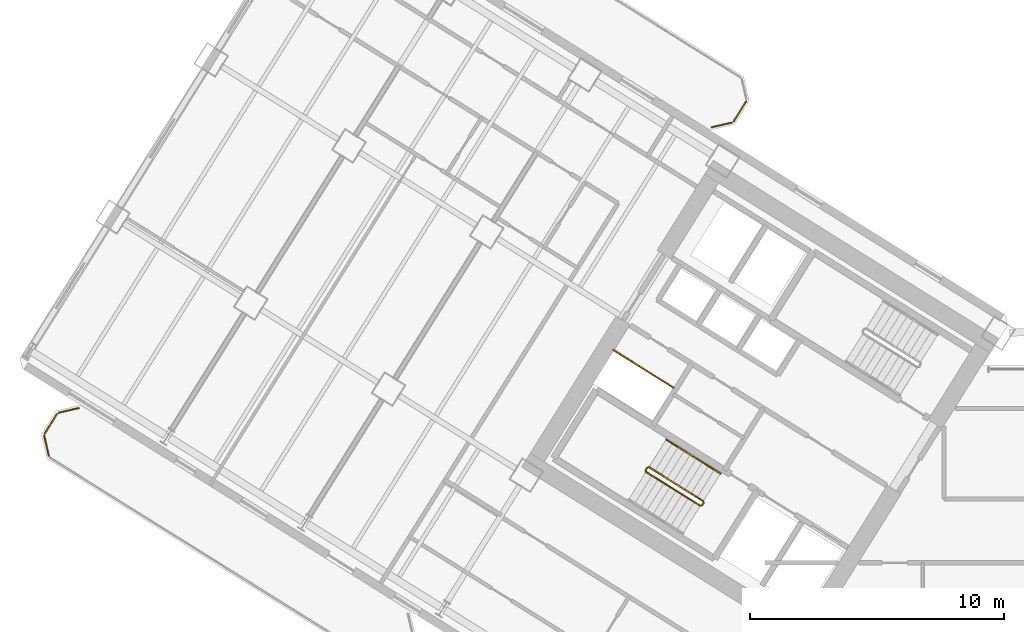
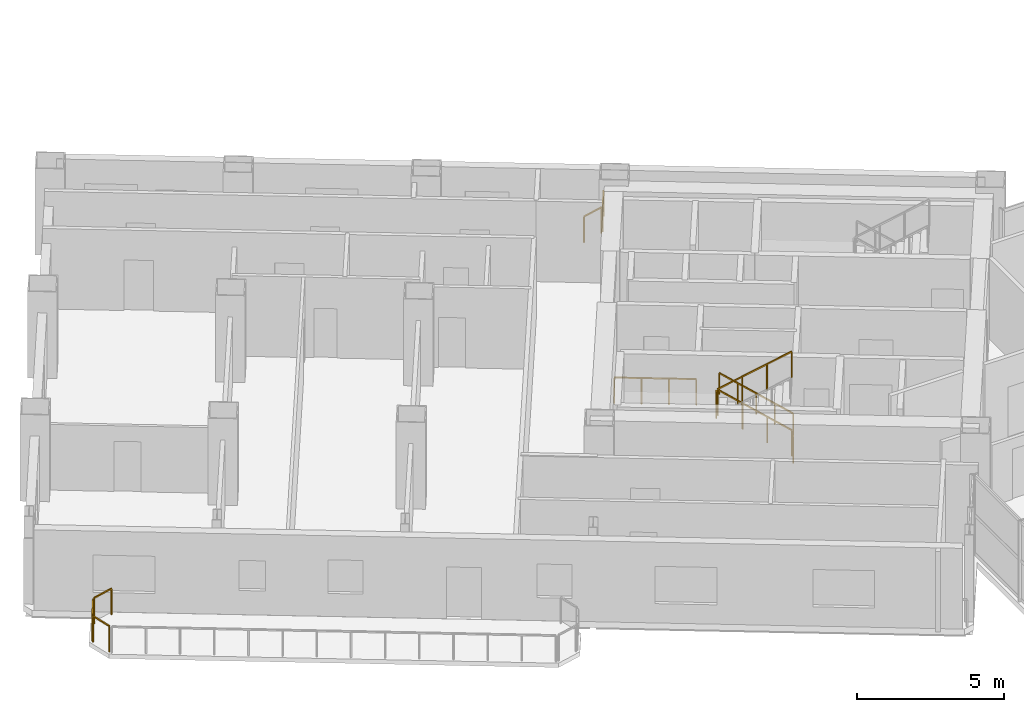
# One storey, part 22 of 24: 12 railings.
"""IFC4 building model written with IfcOpenShell, lengths in metres."""

import ifcopenshell
import ifcopenshell.guid

model = None  # the IFC model being written
_history = None  # IfcOwnerHistory: only IFC2X3 demands one
_inside = {}  # id of a spatial element -> (the spatial element, [elements in it])
_under = {}  # id of a project, library or spatial element -> (it, [spatial elements below it])
_declared = {}  # id of a project -> (the project, [libraries it declares])
_typed = {}  # id of a type object -> (the type object, [elements of that type])
_made_of = {}  # id of a material, layer set ... -> (it, [elements and type objects made of it])


def new_model(schema):
    """Start an empty IFC model of exactly this schema.

    Asked for "IFC4X3", IfcOpenShell would pick the latest addendum, in which some entities
    have other attributes; the version numbers below select the first issue.
    IFC2X3 requires an IfcOwnerHistory on every rooted entity: one is made here for all.
    """
    global model, _history
    if schema == "IFC4X3":
        model = ifcopenshell.file(schema_version=(4, 3, 0, 0))
    else:
        model = ifcopenshell.file(schema=schema)
    _inside.clear()
    _under.clear()
    _declared.clear()
    _typed.clear()
    _made_of.clear()
    _history = None
    if model.schema == "IFC2X3":
        org = make("IfcOrganization", Name="unknown")
        user = make(
            "IfcPersonAndOrganization",
            ThePerson=make("IfcPerson", FamilyName="unknown"),
            TheOrganization=org,
        )
        app = make(
            "IfcApplication",
            ApplicationDeveloper=org,
            Version="unknown",
            ApplicationFullName="unknown",
            ApplicationIdentifier="unknown",
        )
        _history = make(
            "IfcOwnerHistory",
            OwningUser=user,
            OwningApplication=app,
            ChangeAction="ADDED",
            CreationDate=0,
        )
    return model


def make(cls, **values):
    """One entity of the class cls with the attributes given. An attribute that is None is left unset."""
    return model.create_entity(
        cls, **{name: value for name, value in values.items() if value is not None}
    )


def rooted(cls, **values):
    """An entity with a GlobalId (a new one), such as an element, a storey or a relation."""
    return make(cls, GlobalId=ifcopenshell.guid.new(), OwnerHistory=_history, **values)


def si_unit(unit_type, name, prefix=None):
    """IfcSIUnit, for example si_unit("LENGTHUNIT", "METRE", prefix="MILLI")."""
    return make("IfcSIUnit", UnitType=unit_type, Prefix=prefix, Name=name)


def assignment(units):
    """IfcUnitAssignment: the units of a project."""
    return None if units is None else make("IfcUnitAssignment", Units=units)


def point(xyz):
    """IfcCartesianPoint."""
    return None if xyz is None else make("IfcCartesianPoint", Coordinates=xyz)


def direction(xyz):
    """IfcDirection."""
    return None if xyz is None else make("IfcDirection", DirectionRatios=xyz)


def frame(location, z_axis=None, x_axis=None):
    """IfcAxis2Placement3D, a coordinate frame: its origin and axes. An axis left out is left unset."""
    return make(
        "IfcAxis2Placement3D",
        Location=point(location),
        Axis=direction(z_axis),
        RefDirection=direction(x_axis),
    )


def frame_2d(location, x_axis=None):
    """IfcAxis2Placement2D, a coordinate frame in the plane: its origin and x axis."""
    return make(
        "IfcAxis2Placement2D", Location=point(location), RefDirection=direction(x_axis)
    )


def origin():
    """The frame at (0, 0, 0) with its axes left unset."""
    return frame((0.0, 0.0, 0.0))


def origin_2d():
    """The frame at (0, 0) in the plane with its x axis left unset."""
    return frame_2d((0.0, 0.0))


def place(relative_to, where):
    """IfcLocalPlacement: puts the frame where relative to a parent placement (None: the world)."""
    return make(
        "IfcLocalPlacement", PlacementRelTo=relative_to, RelativePlacement=where
    )


def context(
    kind, dimensions, precision=None, world=None, true_north=None, identifier=None
):
    """IfcGeometricRepresentationContext, for example the 3D "Model" context."""
    return make(
        "IfcGeometricRepresentationContext",
        ContextIdentifier=identifier,
        ContextType=kind,
        CoordinateSpaceDimension=dimensions,
        Precision=precision,
        WorldCoordinateSystem=world,
        TrueNorth=true_north,
    )


def subcontext(parent, identifier, kind, view, scale=None):
    """IfcGeometricRepresentationSubContext, for example "Body" below "Model"."""
    return make(
        "IfcGeometricRepresentationSubContext",
        ContextIdentifier=identifier,
        ContextType=kind,
        ParentContext=parent,
        TargetScale=scale,
        TargetView=view,
    )


def project(units=None, contexts=None):
    """IfcProject with its units and contexts."""
    return rooted(
        "IfcProject",
        Name="project",
        RepresentationContexts=contexts,
        UnitsInContext=assignment(units),
    )


def spatial(cls, under=None, at=None, **own):
    """A site, building, storey or space (cls), placed at a placement, below another one or the project."""
    s = rooted(cls, ObjectPlacement=at, **own)
    if under is not None:
        _under.setdefault(under.id(), (under, []))[1].append(s)
    return s


def profile(cls, at=None, kind="AREA", **sizes):
    """A parametric profile (cls). Its sizes go by their IFC names, for example OverallWidth=200.0."""
    return make(cls, ProfileType=kind, Position=at, **sizes)


def rectangle(**sizes):
    """IfcRectangleProfileDef."""
    return profile("IfcRectangleProfileDef", **sizes)


def extrude(swept, where, along, depth):
    """IfcExtrudedAreaSolid: the profile swept, set in the frame where, extruded along a direction by depth."""
    return make(
        "IfcExtrudedAreaSolid",
        SweptArea=swept,
        Position=where,
        ExtrudedDirection=direction(along),
        Depth=depth,
    )


def shape(context_of_items, identifier, shape_type, items):
    """IfcShapeRepresentation: the items that make up one representation, for example the "Body"."""
    return make(
        "IfcShapeRepresentation",
        ContextOfItems=context_of_items,
        RepresentationIdentifier=identifier,
        RepresentationType=shape_type,
        Items=items,
    )


def source(mapping_origin, context_of_items, identifier, shape_type, items):
    """IfcRepresentationMap: a shape defined once, which mapped items show again and again."""
    return make(
        "IfcRepresentationMap",
        MappingOrigin=mapping_origin,
        MappedRepresentation=shape(context_of_items, identifier, shape_type, items),
    )


def transform(
    local_origin,
    x_axis=None,
    y_axis=None,
    z_axis=None,
    scale=None,
    scale2=None,
    scale3=None,
    uniform=True,
):
    """IfcCartesianTransformationOperator3D, or its non-uniform kind. x_axis, y_axis, z_axis: its Axis1, 2, 3."""
    if uniform:
        return make(
            "IfcCartesianTransformationOperator3D",
            Axis1=direction(x_axis),
            Axis2=direction(y_axis),
            LocalOrigin=point(local_origin),
            Scale=scale,
            Axis3=direction(z_axis),
        )
    return make(
        "IfcCartesianTransformationOperator3DnonUniform",
        Axis1=direction(x_axis),
        Axis2=direction(y_axis),
        LocalOrigin=point(local_origin),
        Scale=scale,
        Axis3=direction(z_axis),
        Scale2=scale2,
        Scale3=scale3,
    )


def mapped(mapping_source, mapping_target):
    """IfcMappedItem: shows the shape of a source again, moved by a transform."""
    return make(
        "IfcMappedItem", MappingSource=mapping_source, MappingTarget=mapping_target
    )


def material(Name=None, Category=None):
    """IfcMaterial."""
    return make("IfcMaterial", Name=Name, Category=Category)


def made_of(thing, what):
    """Note that an element or type object is made of a material, layer set ...; save() writes the relation."""
    if what is not None:
        _made_of.setdefault(what.id(), (what, []))[1].append(thing)
    return thing


def type_object(cls, material=None, **own):
    """A type object (cls), such as IfcWallType, which elements share."""
    return made_of(rooted(cls, **own), material)


def element(
    cls,
    number,
    at=None,
    inside=None,
    cuts=None,
    type_object=None,
    material=None,
    context=None,
    identifier="Body",
    shape_type=None,
    held_by="IfcProductDefinitionShape",
    body=None,
    shapes=None,
    **own,
):
    """One element of the class cls, such as IfcWall. Its Tag is "e" and its number.

    at: its placement. inside: the storey or other place that contains it. cuts: it is an
    opening in that element (IfcRelVoidsElement). A single representation is given by context,
    identifier, shape_type and body (its items); several are given by shapes. held_by: the class
    of the entity that holds the representations. save() writes the other relations.
    """
    e = rooted(cls, Tag="e%d" % number, ObjectPlacement=at, **own)
    if body is not None:
        shapes = [shape(context, identifier, shape_type, body)]
    if shapes is not None:
        e.Representation = make(held_by, Representations=shapes)
    if inside is not None:
        _inside.setdefault(inside.id(), (inside, []))[1].append(e)
    if cuts is not None:
        rooted(
            "IfcRelVoidsElement", RelatingBuildingElement=cuts, RelatedOpeningElement=e
        )
    if type_object is not None:
        _typed.setdefault(type_object.id(), (type_object, []))[1].append(e)
    return made_of(e, material)


def aggregate(whole, parts):
    """IfcRelAggregates: a whole, such as a stair, and the parts it consists of."""
    return rooted("IfcRelAggregates", RelatingObject=whole, RelatedObjects=parts)


def save(model, path):
    """Write the relations noted so far, then the file.

    IfcRelAggregates (storeys below a building ...), IfcRelContainedInSpatialStructure (elements
    in a storey), IfcRelDefinesByType, IfcRelAssociatesMaterial and IfcRelDeclares: one each for
    every whole, place, type object, material and project.
    """
    for whole, parts in _under.values():
        aggregate(whole, parts)
    for where, things in _inside.values():
        rooted(
            "IfcRelContainedInSpatialStructure",
            RelatedElements=things,
            RelatingStructure=where,
        )
    for kind, things in _typed.values():
        rooted("IfcRelDefinesByType", RelatedObjects=things, RelatingType=kind)
    for what, things in _made_of.values():
        rooted("IfcRelAssociatesMaterial", RelatedObjects=things, RelatingMaterial=what)
    for by, libraries in _declared.values():
        rooted("IfcRelDeclares", RelatingContext=by, RelatedDefinitions=libraries)
    model.write(path)


model = new_model("IFC4")

# Units and contexts
model_context = context("Model", 3, precision=1e-05, world=origin(), true_north=direction((0.0, 1.0)))
body_context = subcontext(model_context, "Body", "Model", "MODEL_VIEW")
ifc_project = project(units=[si_unit("LENGTHUNIT", "METRE"), si_unit("AREAUNIT", "SQUARE_METRE"), si_unit("VOLUMEUNIT", "CUBIC_METRE"), si_unit("PLANEANGLEUNIT", "RADIAN"), si_unit("MASSUNIT", "GRAM", prefix="KILO")], contexts=[model_context])

# Site, building, storey
site_placement = place(None, origin())
site = spatial("IfcSite", under=ifc_project, at=site_placement, CompositionType="ELEMENT")
building_placement = place(site_placement, origin())
building = spatial("IfcBuilding", under=site, at=building_placement, Name="Tlacorven Tower", CompositionType="ELEMENT")
storey_placement = place(building_placement, frame((0.0, 0.0, 38.39990234375)))
storey = spatial("IfcBuildingStorey", under=building, at=storey_placement, Name="L09", CompositionType="ELEMENT", Elevation=38.39990234375)

# Railings
ifc_material = material(Name="Aluminium and painted steel balustrade", Category="steel")
railing_type_1 = type_object("IfcRailingType", Name="RL-GRD-1100", PredefinedType="GUARDRAIL", material=ifc_material)
shared_shape_1 = source(origin(), body_context, "Body", "SweptSolid", [
    extrude(rectangle(XDim=0.048095703125, YDim=0.048095703125, at=origin_2d()), frame((0.0, 0.0, 1.076171875), z_axis=(-0.848091358275, 0.529850024081, 0.0), x_axis=(-0.529850024081, -0.848091358275, 0.0)), (0.0, 0.0, 1.0), 2.800048828125),
    extrude(rectangle(XDim=0.0419921875, YDim=0.0419921875, at=origin_2d()), origin(), (0.0, 0.0, 1.0), 1.052001953125),
    extrude(rectangle(XDim=0.0419921875, YDim=0.0419921875, at=origin_2d()), frame((-0.79150390625, 0.49462890625, 0.0)), (0.0, 0.0, 1.0), 1.052001953125),
    extrude(rectangle(XDim=0.0419921875, YDim=0.0419921875, at=origin_2d()), frame((-1.583251953125, 0.989013671875, 0.0)), (0.0, 0.0, 1.0), 1.052001953125),
    extrude(rectangle(XDim=0.0419921875, YDim=0.0419921875, at=origin_2d()), frame((-2.374755859375, 1.483642578125, 0.0)), (0.0, 0.0, 1.0), 1.052001953125),
])
railing_1_placement = place(storey_placement, frame((27.9912109375, 22.32080078125, 0.0)))
element("IfcRailing", 1, at=railing_1_placement, inside=storey, type_object=railing_type_1, Name="L09 Electrical Riser W Shaft Guard 1", PredefinedType="GUARDRAIL", context=body_context, shape_type="MappedRepresentation", body=[
    mapped(shared_shape_1, transform((0.0, 0.0, 0.0), scale=1.0)),
])
railing_type_2 = type_object("IfcRailingType", Name="RL-BAL-1100", PredefinedType="BALUSTRADE", material=ifc_material)
shared_shape_2 = source(origin(), body_context, "Body", "SweptSolid", [
    extrude(rectangle(XDim=0.048095703125, YDim=0.048095703125, at=origin_2d()), frame((0.0, 0.0, 1.076171875), z_axis=(-0.52987865805, -0.848073468364, 0.0), x_axis=(0.848073468364, -0.52987865805, 0.0)), (0.0, 0.0, 1.0), 0.912353515625),
    extrude(rectangle(XDim=0.0419921875, YDim=0.0419921875, at=origin_2d()), origin(), (0.0, 0.0, 1.0), 1.052001953125),
    extrude(rectangle(XDim=0.0419921875, YDim=0.0419921875, at=origin_2d()), frame((-0.4833984375, -0.773681640625, 0.0)), (0.0, 0.0, 1.0), 1.052001953125),
])
railing_2_placement = place(storey_placement, frame((30.845947265625, 33.588623046875, 0.0)))
element("IfcRailing", 2, at=railing_2_placement, inside=storey, type_object=railing_type_2, Name="BAL-L09-W-IN Guard Railing 2", PredefinedType="BALUSTRADE", context=body_context, shape_type="MappedRepresentation", body=[
    mapped(shared_shape_2, transform((0.0, 0.0, 0.0), scale=1.0)),
])
shared_shape_3 = source(origin(), body_context, "Body", "SweptSolid", [
    extrude(rectangle(XDim=0.048095703125, YDim=0.048095703125, at=origin_2d()), frame((0.0, 0.0, 1.076171875), z_axis=(-0.225058334816, 0.974345290916, 0.0), x_axis=(-0.974345290916, -0.225058334816, 0.0)), (0.0, 0.0, 1.0), 0.80712890625),
    extrude(rectangle(XDim=0.0419921875, YDim=0.0419921875, at=origin_2d()), origin(), (0.0, 0.0, 1.0), 1.052001953125),
    extrude(rectangle(XDim=0.0419921875, YDim=0.0419921875, at=origin_2d()), frame((-0.181640625, 0.786376953125, 0.0)), (0.0, 0.0, 1.0), 1.052001953125),
])
railing_3_placement = place(storey_placement, frame((3.380859375, 19.62841796875, 0.0)))
element("IfcRailing", 3, at=railing_3_placement, inside=storey, type_object=railing_type_2, Name="BAL-L09-W-OUT Guard Railing 5", PredefinedType="BALUSTRADE", context=body_context, shape_type="MappedRepresentation", body=[
    mapped(shared_shape_3, transform((0.0, 0.0, 0.0), scale=1.0)),
])
shared_shape_4 = source(origin(), body_context, "Body", "SweptSolid", [
    extrude(rectangle(XDim=0.048095703125, YDim=0.048095703125, at=origin_2d()), frame((0.0, 0.0, 1.076171875), z_axis=(0.52987865805, 0.848073468364, 0.0), x_axis=(-0.848073468364, 0.52987865805, 0.0)), (0.0, 0.0, 1.0), 0.912353515625),
    extrude(rectangle(XDim=0.0419921875, YDim=0.0419921875, at=origin_2d()), origin(), (0.0, 0.0, 1.0), 1.052001953125),
    extrude(rectangle(XDim=0.0419921875, YDim=0.0419921875, at=origin_2d()), frame((0.4833984375, 0.773681640625, 0.0)), (0.0, 0.0, 1.0), 1.052001953125),
])
railing_4_placement = place(storey_placement, frame((3.214599609375, 20.505859375, 0.0)))
element("IfcRailing", 4, at=railing_4_placement, inside=storey, type_object=railing_type_2, Name="BAL-L09-W-OUT Guard Railing 6", PredefinedType="BALUSTRADE", context=body_context, shape_type="MappedRepresentation", body=[
    mapped(shared_shape_4, transform((0.0, 0.0, 0.0), scale=1.0)),
])
shared_shape_5 = source(origin(), body_context, "Body", "SweptSolid", [
    extrude(rectangle(XDim=0.048095703125, YDim=0.048095703125, at=origin_2d()), frame((0.0, 0.0, 1.076171875), z_axis=(0.974345290916, 0.225058334816, 0.0), x_axis=(-0.225058334816, 0.974345290916, 0.0)), (0.0, 0.0, 1.0), 0.80712890625),
    extrude(rectangle(XDim=0.0419921875, YDim=0.0419921875, at=origin_2d()), origin(), (0.0, 0.0, 1.0), 1.052001953125),
    extrude(rectangle(XDim=0.0419921875, YDim=0.0419921875, at=origin_2d()), frame((0.786376953125, 0.181640625, 0.0)), (0.0, 0.0, 1.0), 1.052001953125),
])
railing_5_placement = place(storey_placement, frame((3.773193359375, 21.3330078125, 0.0)))
element("IfcRailing", 5, at=railing_5_placement, inside=storey, type_object=railing_type_2, Name="BAL-L09-W-OUT Guard Railing 7", PredefinedType="BALUSTRADE", context=body_context, shape_type="MappedRepresentation", body=[
    mapped(shared_shape_5, transform((0.0, 0.0, 0.0), scale=1.0)),
])
shared_shape_6 = source(origin(), body_context, "Body", "SweptSolid", [
    extrude(rectangle(XDim=0.048095703125, YDim=0.048095703125, at=origin_2d()), frame((0.0, 0.0, 1.076171875), z_axis=(-0.974345290916, -0.225058334816, 0.0), x_axis=(0.225058334816, -0.974345290916, 0.0)), (0.0, 0.0, 1.0), 0.80712890625),
    extrude(rectangle(XDim=0.0419921875, YDim=0.0419921875, at=origin_2d()), origin(), (0.0, 0.0, 1.0), 1.052001953125),
    extrude(rectangle(XDim=0.0419921875, YDim=0.0419921875, at=origin_2d()), frame((-0.786376953125, -0.181640625, 0.0)), (0.0, 0.0, 1.0), 1.052001953125),
])
railing_6_placement = place(storey_placement, frame((30.287353515625, 32.761474609375, 0.0)))
element("IfcRailing", 6, at=railing_6_placement, inside=storey, type_object=railing_type_2, Name="BAL-L09-W-IN Guard Railing 3", PredefinedType="BALUSTRADE", context=body_context, shape_type="MappedRepresentation", body=[
    mapped(shared_shape_6, transform((0.0, 0.0, 0.0), scale=1.0)),
])
shared_shape_7 = source(origin(), body_context, "Body", "SweptSolid", [
    extrude(rectangle(XDim=0.048095703125, YDim=0.048095703125, at=origin_2d()), frame((0.0, 0.0, 1.076171875), z_axis=(-0.529084052582, -0.848569422795, 0.0), x_axis=(0.848569422795, -0.529084052582, 0.0)), (0.0, 0.0, 1.0), 0.119873046875),
    extrude(rectangle(XDim=0.0419921875, YDim=0.0419921875, at=origin_2d()), origin(), (0.0, 0.0, 1.0), 1.052001953125),
    extrude(rectangle(XDim=0.0419921875, YDim=0.0419921875, at=origin_2d()), frame((-0.0634765625, -0.101806640625, 0.0)), (0.0, 0.0, 1.0), 1.052001953125),
])
railing_7_placement = place(storey_placement, frame((29.176513671875, 17.782958984375, 0.0)))
element("IfcRailing", 7, at=railing_7_placement, inside=storey, type_object=railing_type_1, Name="L09 ST-W1 stair guard 4", PredefinedType="GUARDRAIL", context=body_context, shape_type="MappedRepresentation", body=[
    mapped(shared_shape_7, transform((0.0, 0.0, 0.0), scale=1.0)),
])
shared_shape_8 = source(origin(), body_context, "Body", "SweptSolid", [
    extrude(rectangle(XDim=0.048095703125, YDim=0.048095703125, at=origin_2d()), frame((0.0, 0.0, 1.076171875), z_axis=(-0.530546985787, -0.847655529016, 0.0), x_axis=(0.847655529016, -0.530546985787, 0.0)), (0.0, 0.0, 1.0), 0.1201171875),
    extrude(rectangle(XDim=0.0419921875, YDim=0.0419921875, at=origin_2d()), origin(), (0.0, 0.0, 1.0), 1.052001953125),
    extrude(rectangle(XDim=0.0419921875, YDim=0.0419921875, at=origin_2d()), frame((-0.063720703125, -0.101806640625, 0.0)), (0.0, 0.0, 1.0), 1.052001953125),
])
railing_8_placement = place(storey_placement, frame((26.954833984375, 19.17138671875, 1.800048828125)))
element("IfcRailing", 8, at=railing_8_placement, inside=storey, type_object=railing_type_1, Name="L09 ST-W1 stair guard 2", PredefinedType="GUARDRAIL", context=body_context, shape_type="MappedRepresentation", body=[
    mapped(shared_shape_8, transform((0.0, 0.0, 0.0), scale=1.0)),
])
shared_shape_9 = source(origin(), body_context, "Body", "SweptSolid", [
    extrude(rectangle(XDim=0.048095703125, YDim=0.048095703125, at=origin_2d()), frame((0.0, 0.0, 1.076171875), z_axis=(0.713359751793, -0.4457479829, 0.540764828981), x_axis=(0.529911857636, 0.848052724267, 0.0)), (0.0, 0.0, 1.0), 2.99609375),
    extrude(rectangle(XDim=0.0419921875, YDim=0.0419921875, at=origin_2d()), origin(), (0.0, 0.0, 1.0), 1.052001953125),
    extrude(rectangle(XDim=0.0419921875, YDim=0.0419921875, at=origin_2d()), frame((0.71240234375, -0.445068359375, 0.5400390625)), (0.0, 0.0, 1.0), 1.052001953125),
    extrude(rectangle(XDim=0.0419921875, YDim=0.0419921875, at=origin_2d()), frame((1.4248046875, -0.890380859375, 1.080078125)), (0.0, 0.0, 1.0), 1.052001953125),
    extrude(rectangle(XDim=0.0419921875, YDim=0.0419921875, at=origin_2d()), frame((2.13720703125, -1.33544921875, 1.6201171875)), (0.0, 0.0, 1.0), 1.052001953125),
])
railing_9_placement = place(storey_placement, frame((26.906982421875, 19.000732421875, 1.97998046875)))
element("IfcRailing", 9, at=railing_9_placement, inside=storey, type_object=railing_type_1, Name="L09 ST-W1 stair guard 3", PredefinedType="GUARDRAIL", context=body_context, shape_type="MappedRepresentation", body=[
    mapped(shared_shape_9, transform((0.0, 0.0, 0.0), scale=1.0)),
])
railing_type_3 = type_object("IfcRailingType", Name="RL-HND-0900", PredefinedType="HANDRAIL", material=ifc_material)
shared_shape_10 = source(origin(), body_context, "Body", "SweptSolid", [
    extrude(rectangle(XDim=0.048095703125, YDim=0.048095703125, at=origin_2d()), frame((0.0, 0.0, 0.8759765625), z_axis=(-0.713359751793, 0.4457479829, 0.540764828981), x_axis=(-0.529911857636, -0.848052724267, 0.0)), (0.0, 0.0, 1.0), 1.498046875),
    extrude(rectangle(XDim=0.0419921875, YDim=0.0419921875, at=origin_2d()), origin(), (0.0, 0.0, 1.0), 0.851806640625),
    extrude(rectangle(XDim=0.0419921875, YDim=0.0419921875, at=origin_2d()), frame((-0.5341796875, 0.333984375, 0.405029296875)), (0.0, 0.0, 1.0), 0.851806640625),
    extrude(rectangle(XDim=0.0419921875, YDim=0.0419921875, at=origin_2d()), frame((-1.068603515625, 0.667724609375, 0.81005859375)), (0.0, 0.0, 1.0), 0.851806640625),
])
railing_10_placement = place(storey_placement, frame((28.7705078125, 19.60498046875, 0.989990234375)))
element("IfcRailing", 10, at=railing_10_placement, inside=storey, type_object=railing_type_3, Name="L09 ST-W1 stair handrail 2", PredefinedType="HANDRAIL", context=body_context, shape_type="MappedRepresentation", body=[
    mapped(shared_shape_10, transform((0.0, 0.0, 0.0), scale=1.0)),
])
shared_shape_11 = source(origin(), body_context, "Body", "SweptSolid", [
    extrude(rectangle(XDim=0.048095703125, YDim=0.048095703125, at=origin_2d()), frame((0.0, 0.0, 1.076171875), z_axis=(-0.713351164325, 0.445793541512, 0.540738601085), x_axis=(-0.529955395941, -0.84802551749, 0.0)), (0.0, 0.0, 1.0), 2.99560546875),
    extrude(rectangle(XDim=0.0419921875, YDim=0.0419921875, at=origin_2d()), origin(), (0.0, 0.0, 1.0), 1.052001953125),
    extrude(rectangle(XDim=0.0419921875, YDim=0.0419921875, at=origin_2d()), frame((-0.71240234375, 0.445068359375, 0.5400390625)), (0.0, 0.0, 1.0), 1.052001953125),
    extrude(rectangle(XDim=0.0419921875, YDim=0.0419921875, at=origin_2d()), frame((-1.424560546875, 0.890380859375, 1.079833984375)), (0.0, 0.0, 1.0), 1.052001953125),
    extrude(rectangle(XDim=0.0419921875, YDim=0.0419921875, at=origin_2d()), frame((-2.136962890625, 1.33544921875, 1.619873046875)), (0.0, 0.0, 1.0), 1.052001953125),
])
railing_11_placement = place(storey_placement, frame((29.16064453125, 17.851806640625, 0.18017578125)))
element("IfcRailing", 11, at=railing_11_placement, inside=storey, type_object=railing_type_1, Name="L09 ST-W1 stair guard 1", PredefinedType="GUARDRAIL", context=body_context, shape_type="MappedRepresentation", body=[
    mapped(shared_shape_11, transform((0.0, 0.0, 0.0), scale=1.0)),
])
shared_shape_12 = source(origin(), body_context, "Body", "SweptSolid", [
    extrude(rectangle(XDim=0.048095703125, YDim=0.048095703125, at=origin_2d()), frame((0.0, 0.0, 0.8759765625), z_axis=(-0.713422621445, 0.445787267455, 0.540649494022), x_axis=(-0.529911857636, -0.848052724267, 0.0)), (0.0, 0.0, 1.0), 1.497802734375),
    extrude(rectangle(XDim=0.0419921875, YDim=0.0419921875, at=origin_2d()), origin(), (0.0, 0.0, 1.0), 0.851806640625),
    extrude(rectangle(XDim=0.0419921875, YDim=0.0419921875, at=origin_2d()), frame((-0.5341796875, 0.333984375, 0.40478515625)), (0.0, 0.0, 1.0), 0.851806640625),
    extrude(rectangle(XDim=0.0419921875, YDim=0.0419921875, at=origin_2d()), frame((-1.068603515625, 0.667724609375, 0.809814453125)), (0.0, 0.0, 1.0), 0.851806640625),
])
railing_12_placement = place(storey_placement, frame((29.839111328125, 18.937255859375, 0.18017578125)))
element("IfcRailing", 12, at=railing_12_placement, inside=storey, type_object=railing_type_3, Name="L09 ST-W1 stair handrail 1", PredefinedType="HANDRAIL", context=body_context, shape_type="MappedRepresentation", body=[
    mapped(shared_shape_12, transform((0.0, 0.0, 0.0), scale=1.0)),
])

save(model, "model.ifc")
